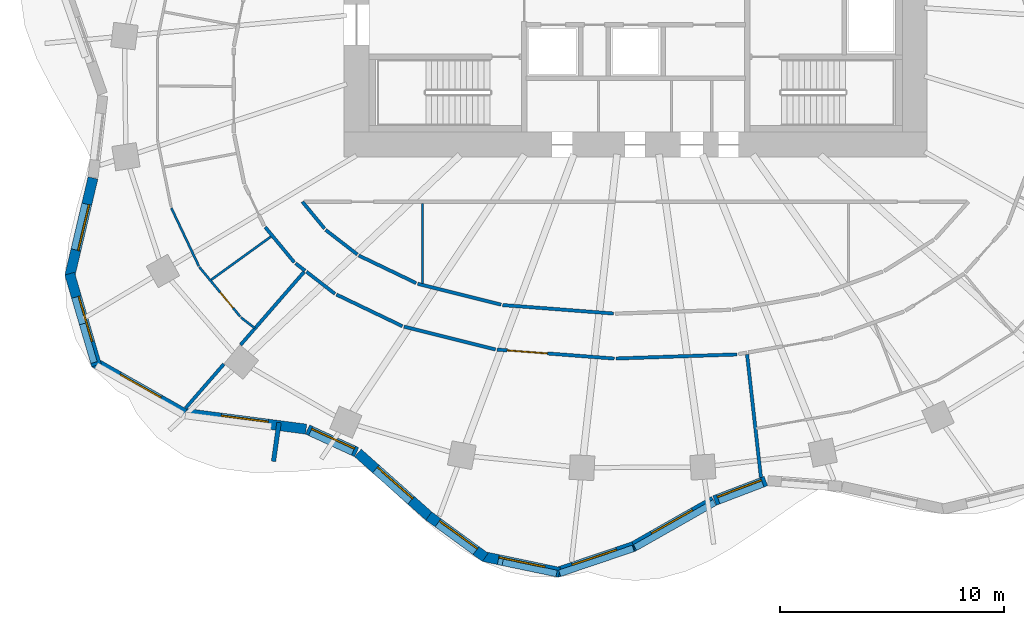
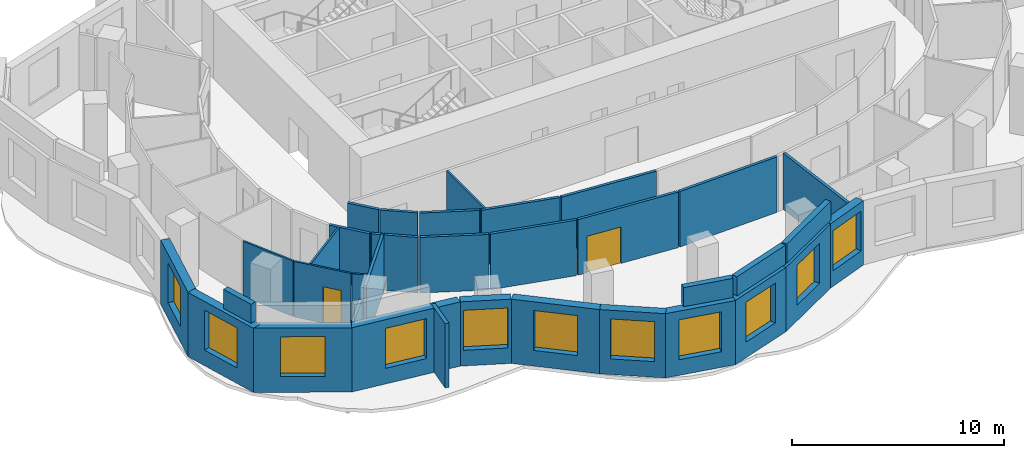
# One storey, part 3 of 10: 36 walls, 11 windows, 2 doors, 13 openings.
"""IFC4 building model written with IfcOpenShell, lengths in metres."""

from ifc_helpers import new_model, si_unit, direction, frame, frame_2d, origin, place, context, subcontext, project, spatial, rectangle, extrude, material, layer, layer_set, type_object, element, fill, save


model = new_model("IFC4")

# Units and contexts
model_context = context("Model", 3, precision=1e-05, world=origin(), true_north=direction((0.0, 1.0)))
body_context = subcontext(model_context, "Body", "Model", "MODEL_VIEW")
ifc_project = project(units=[si_unit("LENGTHUNIT", "METRE"), si_unit("AREAUNIT", "SQUARE_METRE"), si_unit("VOLUMEUNIT", "CUBIC_METRE"), si_unit("PLANEANGLEUNIT", "RADIAN"), si_unit("MASSUNIT", "GRAM", prefix="KILO")], contexts=[model_context])

# Site, building, storey
site_placement = place(None, origin())
site = spatial("IfcSite", under=ifc_project, at=site_placement, CompositionType="ELEMENT")
building_placement = place(site_placement, origin())
building = spatial("IfcBuilding", under=site, at=building_placement, Name="Rubra Terraces Tower", CompositionType="ELEMENT")
storey_placement = place(building_placement, frame((0.0, 0.0, 161.699951171875)))
storey = spatial("IfcBuildingStorey", under=building, at=storey_placement, Name="L39", CompositionType="ELEMENT", Elevation=161.699951171875)

# Wall, opening, window
ifc_material_1 = material(Name="Brick masonry red-brown", Category="masonry")
ifc_layer_1 = layer(ifc_material_1, 0.449951171875)
ifc_layer_set_1 = layer_set([ifc_layer_1], Name="Brick masonry red-brown")
wall_type_1 = type_object("IfcWallType", Name="Brick facade wall 450", PredefinedType="SOLIDWALL", material=ifc_layer_set_1)
wall_1_placement = place(storey_placement, frame((-24.204833984375, -3.942138671875, 0.0), z_axis=(0.0, 0.0, 1.0), x_axis=(-0.230089011282, -0.973169587938, 0.0)))
wall_1 = element("IfcWall", 1, at=wall_1_placement, inside=storey, type_object=wall_type_1, Name="Facade wall L39 bay 22", PredefinedType="SOLIDWALL", context=body_context, shape_type="SweptSolid", body=[
    extrude(rectangle(XDim=4.497802734375, YDim=0.449951171875, at=frame_2d((2.2490234375, 0.0))), origin(), (0.0, 0.0, 1.0), 3.699951171875),
])
opening_1_placement = place(wall_1_placement, frame((1.198974609375, 0.0, 0.89990234375)))
opening_1 = element("IfcOpeningElement", 2, at=opening_1_placement, cuts=wall_1, Name="Opening W1B", PredefinedType="OPENING", context=body_context, shape_type="SweptSolid", body=[
    extrude(rectangle(XDim=2.10009765625, YDim=2.300048828125, at=frame_2d((1.050048828125, 1.14990234375))), frame((0.0, 0.23486328125, 0.0), z_axis=(0.0, -1.0, 0.0), x_axis=(1.0, 0.0, 0.0)), (0.0, 0.0, 1.0), 0.469970703125),
])
ifc_material_2 = material(Name="Clear glass in aluminium frame", Category="aluminium")
window_type = type_object("IfcWindowType", Name="Fixed deep-set window tall storey 2100 x 2300", PartitioningType="SINGLE_PANEL", PredefinedType="WINDOW", material=ifc_material_2)
window_1_placement = place(opening_1_placement, origin())
window_1 = element("IfcWindow", 3, at=window_1_placement, inside=storey, type_object=window_type, Name="Window L39 bay 22", OverallHeight=2.300048828125, OverallWidth=2.10009765625, PartitioningType="SINGLE_PANEL", PredefinedType="WINDOW", context=body_context, shape_type="SweptSolid", body=[
    extrude(rectangle(XDim=2.10009765625, YDim=2.300048828125, at=frame_2d((1.050048828125, 1.14990234375))), frame((0.0, 0.135009765625, 0.0), z_axis=(0.0, -1.0, 0.0), x_axis=(1.0, 0.0, 0.0)), (0.0, 0.0, 1.0), 0.06005859375),
])
fill(opening_1, window_1)

wall_2_placement = place(storey_placement, frame((-25.244140625, -8.209716796875, 0.0), z_axis=(0.0, 0.0, 1.0), x_axis=(0.281381418228, -0.95959600743, 0.0)))
wall_2 = element("IfcWall", 4, at=wall_2_placement, inside=storey, type_object=wall_type_1, Name="Facade wall L39 bay 23", PredefinedType="SOLIDWALL", context=body_context, shape_type="SweptSolid", body=[
    extrude(rectangle(XDim=4.260986328125, YDim=0.449951171875, at=frame_2d((2.13037109375, 0.0))), origin(), (0.0, 0.0, 1.0), 3.699951171875),
])
opening_2_placement = place(wall_2_placement, frame((1.08056640625, 0.0, 0.89990234375)))
opening_2 = element("IfcOpeningElement", 5, at=opening_2_placement, cuts=wall_2, Name="Opening W1B", PredefinedType="OPENING", context=body_context, shape_type="SweptSolid", body=[
    extrude(rectangle(XDim=2.10009765625, YDim=2.300048828125, at=frame_2d((1.050048828125, 1.14990234375))), frame((0.0, 0.23486328125, 0.0), z_axis=(0.0, -1.0, 0.0), x_axis=(1.0, 0.0, 0.0)), (0.0, 0.0, 1.0), 0.469970703125),
])
window_2_placement = place(opening_2_placement, origin())
window_2 = element("IfcWindow", 6, at=window_2_placement, inside=storey, type_object=window_type, Name="Window L39 bay 23", OverallHeight=2.300048828125, OverallWidth=2.10009765625, PartitioningType="SINGLE_PANEL", PredefinedType="WINDOW", context=body_context, shape_type="SweptSolid", body=[
    extrude(rectangle(XDim=2.10009765625, YDim=2.300048828125, at=frame_2d((1.050048828125, 1.14990234375))), frame((0.0, 0.135009765625, 0.0), z_axis=(0.0, -1.0, 0.0), x_axis=(1.0, 0.0, 0.0)), (0.0, 0.0, 1.0), 0.06005859375),
])
fill(opening_2, window_2)

wall_3_placement = place(storey_placement, frame((-24.14990234375, -12.166259765625, 0.0), z_axis=(0.0, 0.0, 1.0), x_axis=(0.869797051289, -0.493409656947, 0.0)))
wall_3 = element("IfcWall", 7, at=wall_3_placement, inside=storey, type_object=wall_type_1, Name="Facade wall L39 bay 24", PredefinedType="SOLIDWALL", context=body_context, shape_type="SweptSolid", body=[
    extrude(rectangle(XDim=4.6376953125, YDim=0.449951171875, at=frame_2d((2.31884765625, 0.0))), origin(), (0.0, 0.0, 1.0), 3.699951171875),
])
opening_3_placement = place(wall_3_placement, frame((1.268798828125, 0.0, 0.89990234375)))
opening_3 = element("IfcOpeningElement", 8, at=opening_3_placement, cuts=wall_3, Name="Opening W1B", PredefinedType="OPENING", context=body_context, shape_type="SweptSolid", body=[
    extrude(rectangle(XDim=2.10009765625, YDim=2.300048828125, at=frame_2d((1.050048828125, 1.14990234375))), frame((0.0, 0.23486328125, 0.0), z_axis=(0.0, -1.0, 0.0), x_axis=(1.0, 0.0, 0.0)), (0.0, 0.0, 1.0), 0.469970703125),
])
window_3_placement = place(opening_3_placement, origin())
window_3 = element("IfcWindow", 9, at=window_3_placement, inside=storey, type_object=window_type, Name="Window L39 bay 24", OverallHeight=2.300048828125, OverallWidth=2.10009765625, PartitioningType="SINGLE_PANEL", PredefinedType="WINDOW", context=body_context, shape_type="SweptSolid", body=[
    extrude(rectangle(XDim=2.10009765625, YDim=2.300048828125, at=frame_2d((1.050048828125, 1.14990234375))), frame((0.0, 0.135009765625, 0.0), z_axis=(0.0, -1.0, 0.0), x_axis=(1.0, 0.0, 0.0)), (0.0, 0.0, 1.0), 0.06005859375),
])
fill(opening_3, window_3)

wall_4_placement = place(storey_placement, frame((-20.197998046875, -14.427001953125, 0.0), z_axis=(0.0, 0.0, 1.0), x_axis=(0.991632531946, -0.129092686027, 0.0)))
wall_4 = element("IfcWall", 10, at=wall_4_placement, inside=storey, type_object=wall_type_1, Name="Facade wall L39 bay 25", PredefinedType="SOLIDWALL", context=body_context, shape_type="SweptSolid", body=[
    extrude(rectangle(XDim=5.546875, YDim=0.449951171875, at=frame_2d((2.7734375, 0.0))), origin(), (0.0, 0.0, 1.0), 3.699951171875),
])
opening_4_placement = place(wall_4_placement, frame((1.723388671875, 0.0, 0.89990234375)))
opening_4 = element("IfcOpeningElement", 11, at=opening_4_placement, cuts=wall_4, Name="Opening W1B", PredefinedType="OPENING", context=body_context, shape_type="SweptSolid", body=[
    extrude(rectangle(XDim=2.10009765625, YDim=2.300048828125, at=frame_2d((1.050048828125, 1.14990234375))), frame((0.0, 0.23486328125, 0.0), z_axis=(0.0, -1.0, 0.0), x_axis=(1.0, 0.0, 0.0)), (0.0, 0.0, 1.0), 0.469970703125),
])
window_4_placement = place(opening_4_placement, origin())
window_4 = element("IfcWindow", 12, at=window_4_placement, inside=storey, type_object=window_type, Name="Window L39 bay 25", OverallHeight=2.300048828125, OverallWidth=2.10009765625, PartitioningType="SINGLE_PANEL", PredefinedType="WINDOW", context=body_context, shape_type="SweptSolid", body=[
    extrude(rectangle(XDim=2.10009765625, YDim=2.300048828125, at=frame_2d((1.050048828125, 1.14990234375))), frame((0.0, 0.135009765625, 0.0), z_axis=(0.0, -1.0, 0.0), x_axis=(1.0, 0.0, 0.0)), (0.0, 0.0, 1.0), 0.06005859375),
])
fill(opening_4, window_4)

wall_5_placement = place(storey_placement, frame((-14.632568359375, -15.16162109375, 0.0), z_axis=(0.0, 0.0, 1.0), x_axis=(0.908483528811, -0.417920659791, 0.0)))
wall_5 = element("IfcWall", 13, at=wall_5_placement, inside=storey, type_object=wall_type_1, Name="Facade wall L39 bay 26", PredefinedType="SOLIDWALL", context=body_context, shape_type="SweptSolid", body=[
    extrude(rectangle(XDim=2.40966796875, YDim=0.449951171875, at=frame_2d((1.204833984375, 0.0))), origin(), (0.0, 0.0, 1.0), 3.699951171875),
])
opening_5_placement = place(wall_5_placement, frame((0.15478515625, 0.0, 0.89990234375)))
opening_5 = element("IfcOpeningElement", 14, at=opening_5_placement, cuts=wall_5, Name="Opening W1B", PredefinedType="OPENING", context=body_context, shape_type="SweptSolid", body=[
    extrude(rectangle(XDim=2.10009765625, YDim=2.300048828125, at=frame_2d((1.050048828125, 1.14990234375))), frame((0.0, 0.23486328125, 0.0), z_axis=(0.0, -1.0, 0.0), x_axis=(1.0, 0.0, 0.0)), (0.0, 0.0, 1.0), 0.469970703125),
])
window_5_placement = place(opening_5_placement, origin())
window_5 = element("IfcWindow", 15, at=window_5_placement, inside=storey, type_object=window_type, Name="Window L39 bay 26", OverallHeight=2.300048828125, OverallWidth=2.10009765625, PartitioningType="SINGLE_PANEL", PredefinedType="WINDOW", context=body_context, shape_type="SweptSolid", body=[
    extrude(rectangle(XDim=2.10009765625, YDim=2.300048828125, at=frame_2d((1.050048828125, 1.14990234375))), frame((0.0, 0.135009765625, 0.0), z_axis=(0.0, -1.0, 0.0), x_axis=(1.0, 0.0, 0.0)), (0.0, 0.0, 1.0), 0.06005859375),
])
fill(opening_5, window_5)

wall_6_placement = place(storey_placement, frame((-12.3876953125, -16.205078125, 0.0), z_axis=(0.0, 0.0, 1.0), x_axis=(0.747390315923, -0.66438521632, 0.0)))
wall_6 = element("IfcWall", 16, at=wall_6_placement, inside=storey, type_object=wall_type_1, Name="Facade wall L39 bay 27", PredefinedType="SOLIDWALL", context=body_context, shape_type="SweptSolid", body=[
    extrude(rectangle(XDim=4.253173828125, YDim=0.449951171875, at=frame_2d((2.12646484375, 0.0))), origin(), (0.0, 0.0, 1.0), 3.699951171875),
])
opening_6_placement = place(wall_6_placement, frame((1.07666015625, 0.0, 0.89990234375)))
opening_6 = element("IfcOpeningElement", 17, at=opening_6_placement, cuts=wall_6, Name="Opening W1B", PredefinedType="OPENING", context=body_context, shape_type="SweptSolid", body=[
    extrude(rectangle(XDim=2.10009765625, YDim=2.300048828125, at=frame_2d((1.050048828125, 1.14990234375))), frame((0.0, 0.23486328125, 0.0), z_axis=(0.0, -1.0, 0.0), x_axis=(1.0, 0.0, 0.0)), (0.0, 0.0, 1.0), 0.469970703125),
])
window_6_placement = place(opening_6_placement, origin())
window_6 = element("IfcWindow", 18, at=window_6_placement, inside=storey, type_object=window_type, Name="Window L39 bay 27", OverallHeight=2.300048828125, OverallWidth=2.10009765625, PartitioningType="SINGLE_PANEL", PredefinedType="WINDOW", context=body_context, shape_type="SweptSolid", body=[
    extrude(rectangle(XDim=2.10009765625, YDim=2.300048828125, at=frame_2d((1.050048828125, 1.14990234375))), frame((0.0, 0.135009765625, 0.0), z_axis=(0.0, -1.0, 0.0), x_axis=(1.0, 0.0, 0.0)), (0.0, 0.0, 1.0), 0.06005859375),
])
fill(opening_6, window_6)

wall_7_placement = place(storey_placement, frame((-9.2255859375, -19.017333984375, 0.0), z_axis=(0.0, 0.0, 1.0), x_axis=(0.806924019806, -0.590655251615, 0.0)))
wall_7 = element("IfcWall", 19, at=wall_7_placement, inside=storey, type_object=wall_type_1, Name="Facade wall L39 bay 28", PredefinedType="SOLIDWALL", context=body_context, shape_type="SweptSolid", body=[
    extrude(rectangle(XDim=3.12353515625, YDim=0.449951171875, at=frame_2d((1.561767578125, 0.0))), origin(), (0.0, 0.0, 1.0), 3.699951171875),
])
opening_7_placement = place(wall_7_placement, frame((0.511962890625, 0.0, 0.89990234375)))
opening_7 = element("IfcOpeningElement", 20, at=opening_7_placement, cuts=wall_7, Name="Opening W1B", PredefinedType="OPENING", context=body_context, shape_type="SweptSolid", body=[
    extrude(rectangle(XDim=2.10009765625, YDim=2.300048828125, at=frame_2d((1.050048828125, 1.14990234375))), frame((0.0, 0.23486328125, 0.0), z_axis=(0.0, -1.0, 0.0), x_axis=(1.0, 0.0, 0.0)), (0.0, 0.0, 1.0), 0.469970703125),
])
window_7_placement = place(opening_7_placement, origin())
window_7 = element("IfcWindow", 21, at=window_7_placement, inside=storey, type_object=window_type, Name="Window L39 bay 28", OverallHeight=2.300048828125, OverallWidth=2.10009765625, PartitioningType="SINGLE_PANEL", PredefinedType="WINDOW", context=body_context, shape_type="SweptSolid", body=[
    extrude(rectangle(XDim=2.10009765625, YDim=2.300048828125, at=frame_2d((1.050048828125, 1.14990234375))), frame((0.0, 0.135009765625, 0.0), z_axis=(0.0, -1.0, 0.0), x_axis=(1.0, 0.0, 0.0)), (0.0, 0.0, 1.0), 0.06005859375),
])
fill(opening_7, window_7)

wall_8_placement = place(storey_placement, frame((-6.7919921875, -20.82373046875, 0.0), z_axis=(0.0, 0.0, 1.0), x_axis=(0.978915912181, -0.204263645512, 0.0)))
wall_8 = element("IfcWall", 22, at=wall_8_placement, inside=storey, type_object=wall_type_1, Name="Facade wall L39 bay 29", PredefinedType="SOLIDWALL", context=body_context, shape_type="SweptSolid", body=[
    extrude(rectangle(XDim=3.466064453125, YDim=0.449951171875, at=frame_2d((1.73291015625, 0.0))), origin(), (0.0, 0.0, 1.0), 3.699951171875),
])
opening_8_placement = place(wall_8_placement, frame((0.68310546875, 0.0, 0.89990234375)))
opening_8 = element("IfcOpeningElement", 23, at=opening_8_placement, cuts=wall_8, Name="Opening W1B", PredefinedType="OPENING", context=body_context, shape_type="SweptSolid", body=[
    extrude(rectangle(XDim=2.10009765625, YDim=2.300048828125, at=frame_2d((1.050048828125, 1.14990234375))), frame((0.0, 0.23486328125, 0.0), z_axis=(0.0, -1.0, 0.0), x_axis=(1.0, 0.0, 0.0)), (0.0, 0.0, 1.0), 0.469970703125),
])
window_8_placement = place(opening_8_placement, origin())
window_8 = element("IfcWindow", 24, at=window_8_placement, inside=storey, type_object=window_type, Name="Window L39 bay 29", OverallHeight=2.300048828125, OverallWidth=2.10009765625, PartitioningType="SINGLE_PANEL", PredefinedType="WINDOW", context=body_context, shape_type="SweptSolid", body=[
    extrude(rectangle(XDim=2.10009765625, YDim=2.300048828125, at=frame_2d((1.050048828125, 1.14990234375))), frame((0.0, 0.135009765625, 0.0), z_axis=(0.0, -1.0, 0.0), x_axis=(1.0, 0.0, 0.0)), (0.0, 0.0, 1.0), 0.06005859375),
])
fill(opening_8, window_8)

wall_9_placement = place(storey_placement, frame((-3.51708984375, -21.538818359375, 0.0), z_axis=(0.0, 0.0, 1.0), x_axis=(0.947310857828, 0.320315685911, 0.0)))
wall_9 = element("IfcWall", 25, at=wall_9_placement, inside=storey, type_object=wall_type_1, Name="Facade wall L39 bay 30", PredefinedType="SOLIDWALL", context=body_context, shape_type="SweptSolid", body=[
    extrude(rectangle(XDim=3.61669921875, YDim=0.449951171875, at=frame_2d((1.808349609375, 0.0))), origin(), (0.0, 0.0, 1.0), 3.699951171875),
])
opening_9_placement = place(wall_9_placement, frame((0.75830078125, 0.0, 0.89990234375)))
opening_9 = element("IfcOpeningElement", 26, at=opening_9_placement, cuts=wall_9, Name="Opening W1B", PredefinedType="OPENING", context=body_context, shape_type="SweptSolid", body=[
    extrude(rectangle(XDim=2.10009765625, YDim=2.300048828125, at=frame_2d((1.050048828125, 1.14990234375))), frame((0.0, 0.23486328125, 0.0), z_axis=(0.0, -1.0, 0.0), x_axis=(1.0, 0.0, 0.0)), (0.0, 0.0, 1.0), 0.469970703125),
])
window_9_placement = place(opening_9_placement, origin())
window_9 = element("IfcWindow", 27, at=window_9_placement, inside=storey, type_object=window_type, Name="Window L39 bay 30", OverallHeight=2.300048828125, OverallWidth=2.10009765625, PartitioningType="SINGLE_PANEL", PredefinedType="WINDOW", context=body_context, shape_type="SweptSolid", body=[
    extrude(rectangle(XDim=2.10009765625, YDim=2.300048828125, at=frame_2d((1.050048828125, 1.14990234375))), frame((0.0, 0.135009765625, 0.0), z_axis=(0.0, -1.0, 0.0), x_axis=(1.0, 0.0, 0.0)), (0.0, 0.0, 1.0), 0.06005859375),
])
fill(opening_9, window_9)

wall_10_placement = place(storey_placement, frame((-0.1298828125, -20.397705078125, 0.0), z_axis=(0.0, 0.0, 1.0), x_axis=(0.869822607726, 0.493364602589, 0.0)))
wall_10 = element("IfcWall", 28, at=wall_10_placement, inside=storey, type_object=wall_type_1, Name="Facade wall L39 bay 31", PredefinedType="SOLIDWALL", context=body_context, shape_type="SweptSolid", body=[
    extrude(rectangle(XDim=4.1640625, YDim=0.449951171875, at=frame_2d((2.08203125, 0.0))), origin(), (0.0, 0.0, 1.0), 3.699951171875),
])
opening_10_placement = place(wall_10_placement, frame((1.0322265625, 0.0, 0.89990234375)))
opening_10 = element("IfcOpeningElement", 29, at=opening_10_placement, cuts=wall_10, Name="Opening W1B", PredefinedType="OPENING", context=body_context, shape_type="SweptSolid", body=[
    extrude(rectangle(XDim=2.10009765625, YDim=2.300048828125, at=frame_2d((1.050048828125, 1.14990234375))), frame((0.0, 0.23486328125, 0.0), z_axis=(0.0, -1.0, 0.0), x_axis=(1.0, 0.0, 0.0)), (0.0, 0.0, 1.0), 0.469970703125),
])
window_10_placement = place(opening_10_placement, origin())
window_10 = element("IfcWindow", 30, at=window_10_placement, inside=storey, type_object=window_type, Name="Window L39 bay 31", OverallHeight=2.300048828125, OverallWidth=2.10009765625, PartitioningType="SINGLE_PANEL", PredefinedType="WINDOW", context=body_context, shape_type="SweptSolid", body=[
    extrude(rectangle(XDim=2.10009765625, YDim=2.300048828125, at=frame_2d((1.050048828125, 1.14990234375))), frame((0.0, 0.135009765625, 0.0), z_axis=(0.0, -1.0, 0.0), x_axis=(1.0, 0.0, 0.0)), (0.0, 0.0, 1.0), 0.06005859375),
])
fill(opening_10, window_10)

wall_11_placement = place(storey_placement, frame((3.52294921875, -18.328857421875, 0.0), z_axis=(0.0, 0.0, 1.0), x_axis=(0.934127137656, 0.356940458193, 0.0)))
wall_11 = element("IfcWall", 31, at=wall_11_placement, inside=storey, type_object=wall_type_1, Name="Facade wall L39 bay 32", PredefinedType="SOLIDWALL", context=body_context, shape_type="SweptSolid", body=[
    extrude(rectangle(XDim=2.44873046875, YDim=0.449951171875, at=frame_2d((1.224365234375, 0.0))), origin(), (0.0, 0.0, 1.0), 3.699951171875),
])
opening_11_placement = place(wall_11_placement, frame((0.17431640625, 0.0, 0.89990234375)))
opening_11 = element("IfcOpeningElement", 32, at=opening_11_placement, cuts=wall_11, Name="Opening W1B", PredefinedType="OPENING", context=body_context, shape_type="SweptSolid", body=[
    extrude(rectangle(XDim=2.10009765625, YDim=2.300048828125, at=frame_2d((1.050048828125, 1.14990234375))), frame((0.0, 0.23486328125, 0.0), z_axis=(0.0, -1.0, 0.0), x_axis=(1.0, 0.0, 0.0)), (0.0, 0.0, 1.0), 0.469970703125),
])
window_11_placement = place(opening_11_placement, origin())
window_11 = element("IfcWindow", 33, at=window_11_placement, inside=storey, type_object=window_type, Name="Window L39 bay 32", OverallHeight=2.300048828125, OverallWidth=2.10009765625, PartitioningType="SINGLE_PANEL", PredefinedType="WINDOW", context=body_context, shape_type="SweptSolid", body=[
    extrude(rectangle(XDim=2.10009765625, YDim=2.300048828125, at=frame_2d((1.050048828125, 1.14990234375))), frame((0.0, 0.135009765625, 0.0), z_axis=(0.0, -1.0, 0.0), x_axis=(1.0, 0.0, 0.0)), (0.0, 0.0, 1.0), 0.06005859375),
])
fill(opening_11, window_11)

# Walls
ifc_layer_2 = layer(ifc_material_1, 0.300048828125)
ifc_layer_set_2 = layer_set([ifc_layer_2], Name="Brick masonry red-brown")
wall_type_2 = type_object("IfcWallType", Name="Brick parapet 300", PredefinedType="PARAPET", material=ifc_layer_set_2)
wall_12_placement = place(storey_placement, frame((-24.665771484375, -10.44873046875, 3.900146484375), z_axis=(0.0, 0.0, 1.0), x_axis=(0.281438565612, -0.95957924831, 0.0)))
element("IfcWall", 34, at=wall_12_placement, inside=storey, type_object=wall_type_2, Name="Parapet L39 bay 23", PredefinedType="PARAPET", context=body_context, shape_type="SweptSolid", body=[
    extrude(rectangle(XDim=1.79833984375, YDim=0.300048828125, at=frame_2d((0.899169921875, 0.0))), origin(), (0.0, 0.0, 1.0), 1.099853515625),
])
wall_13_placement = place(storey_placement, frame((-5.9267578125, -21.080810546875, 3.900146484375), z_axis=(0.0, 0.0, 1.0), x_axis=(0.978913347981, -0.204275933837, 0.0)))
element("IfcWall", 35, at=wall_13_placement, inside=storey, type_object=wall_type_2, Name="Parapet L39 bay 29", PredefinedType="PARAPET", context=body_context, shape_type="SweptSolid", body=[
    extrude(rectangle(XDim=2.454833984375, YDim=0.300048828125, at=frame_2d((1.2275390625, 0.0))), origin(), (0.0, 0.0, 1.0), 1.099853515625),
])
wall_14_placement = place(storey_placement, frame((-3.38720703125, -21.57421875, 3.900146484375), z_axis=(0.0, 0.0, 1.0), x_axis=(0.947286690835, 0.32038714919, 0.0)))
element("IfcWall", 36, at=wall_14_placement, inside=storey, type_object=wall_type_2, Name="Parapet L39 bay 30", PredefinedType="PARAPET", context=body_context, shape_type="SweptSolid", body=[
    extrude(rectangle(XDim=3.46630859375, YDim=0.300048828125, at=frame_2d((1.733154296875, 0.0))), origin(), (0.0, 0.0, 1.0), 1.099853515625),
])
wall_15_placement = place(storey_placement, frame((-0.02294921875, -20.427490234375, 3.900146484375), z_axis=(0.0, 0.0, 1.0), x_axis=(0.869841859978, 0.493330658514, 0.0)))
element("IfcWall", 37, at=wall_15_placement, inside=storey, type_object=wall_type_2, Name="Parapet L39 bay 31", PredefinedType="PARAPET", context=body_context, shape_type="SweptSolid", body=[
    extrude(rectangle(XDim=4.085693359375, YDim=0.300048828125, at=frame_2d((2.04296875, 0.0))), origin(), (0.0, 0.0, 1.0), 1.099853515625),
])
ifc_layer_3 = layer(ifc_material_1, 0.199951171875)
ifc_layer_set_3 = layer_set([ifc_layer_3], Name="Brick masonry red-brown")
wall_type_3 = type_object("IfcWallType", Name="Brick wind fin 200", PredefinedType="SOLIDWALL", material=ifc_layer_set_3)
wall_16_placement = place(storey_placement, frame((-15.905029296875, -14.85009765625, 0.0), z_axis=(0.0, 0.0, 1.0), x_axis=(-0.140913490987, -0.990021912918, 0.0)))
element("IfcWall", 38, at=wall_16_placement, inside=storey, type_object=wall_type_3, Name="Wind fin L39 13", PredefinedType="SOLIDWALL", context=body_context, shape_type="SweptSolid", body=[
    extrude(rectangle(XDim=1.75, YDim=0.199951171875, at=frame_2d((0.875, 0.0))), origin(), (0.0, 0.0, 1.0), 3.699951171875),
])
ifc_material_3 = material(Name="Plasterboard on steel stud, mineral wool infill", Category="steel")
ifc_layer_4 = layer(ifc_material_3, 0.14990234375)
ifc_layer_set_4 = layer_set([ifc_layer_4], Name="Plasterboard on steel stud, mineral wool infill")
wall_type_4 = type_object("IfcWallType", Name="CORRIDOR PARTITION 150", PredefinedType="PARTITIONING", material=ifc_layer_set_4)
wall_17_placement = place(storey_placement, frame((-16.523193359375, -6.131591796875, 0.0), z_axis=(0.0, 0.0, 1.0), x_axis=(0.636763898907, -0.771058841496, 0.0)))
element("IfcWall", 39, at=wall_17_placement, inside=storey, type_object=wall_type_4, Name="PARTITION", PredefinedType="PARTITIONING", context=body_context, shape_type="SweptSolid", body=[
    extrude(rectangle(XDim=2.039794921875, YDim=0.14990234375, at=frame_2d((1.02001953125, 0.0))), origin(), (0.0, 0.0, 1.0), 3.197998046875),
])
wall_18_placement = place(storey_placement, frame((-15.1650390625, -7.750244140625, 0.0), z_axis=(0.0, 0.0, 1.0), x_axis=(0.79097337153, -0.611850574511, 0.0)))
element("IfcWall", 40, at=wall_18_placement, inside=storey, type_object=wall_type_4, Name="PARTITION", PredefinedType="PARTITIONING", context=body_context, shape_type="SweptSolid", body=[
    extrude(rectangle(XDim=0.5341796875, YDim=0.14990234375, at=frame_2d((0.26708984375, 0.0))), origin(), (0.0, 0.0, 1.0), 3.197998046875),
])
wall_19_placement = place(storey_placement, frame((-14.68310546875, -8.123046875, 0.0), z_axis=(0.0, 0.0, 1.0), x_axis=(0.790898614368, -0.611947205068, 0.0)))
element("IfcWall", 41, at=wall_19_placement, inside=storey, type_object=wall_type_4, Name="PARTITION", PredefinedType="PARTITIONING", context=body_context, shape_type="SweptSolid", body=[
    extrude(rectangle(XDim=1.612548828125, YDim=0.14990234375, at=frame_2d((0.80615234375, 0.0))), origin(), (0.0, 0.0, 1.0), 3.197998046875),
])
wall_20_placement = place(storey_placement, frame((-13.340087890625, -9.142333984375, 0.0), z_axis=(0.0, 0.0, 1.0), x_axis=(0.901599124721, -0.432572558425, 0.0)))
element("IfcWall", 42, at=wall_20_placement, inside=storey, type_object=wall_type_4, Name="PARTITION", PredefinedType="PARTITIONING", context=body_context, shape_type="SweptSolid", body=[
    extrude(rectangle(XDim=3.2548828125, YDim=0.14990234375, at=frame_2d((1.62744140625, 0.0))), origin(), (0.0, 0.0, 1.0), 3.197998046875),
])
wall_21_placement = place(storey_placement, frame((-10.332763671875, -10.568603515625, 0.0), z_axis=(0.0, 0.0, 1.0), x_axis=(0.970067398009, -0.242835836151, 0.0)))
element("IfcWall", 43, at=wall_21_placement, inside=storey, type_object=wall_type_4, Name="PARTITION", PredefinedType="PARTITIONING", context=body_context, shape_type="SweptSolid", body=[
    extrude(rectangle(XDim=4.20947265625, YDim=0.14990234375, at=frame_2d((2.104736328125, 0.0))), origin(), (0.0, 0.0, 1.0), 3.197998046875),
])

# Wall, opening, door
wall_22_placement = place(storey_placement, frame((-6.174560546875, -11.596435546875, 0.0), z_axis=(0.0, 0.0, 1.0), x_axis=(0.997097090763, -0.07614060409, 0.0)))
wall_22 = element("IfcWall", 44, at=wall_22_placement, inside=storey, type_object=wall_type_4, Name="PARTITION", PredefinedType="PARTITIONING", context=body_context, shape_type="SweptSolid", body=[
    extrude(rectangle(XDim=5.2392578125, YDim=0.14990234375, at=frame_2d((2.61962890625, 0.0))), origin(), (0.0, 0.0, 1.0), 3.197998046875),
])
opening_12_placement = place(wall_22_placement, frame((0.449951171875, 0.0, 0.0)))
opening_12 = element("IfcOpeningElement", 45, at=opening_12_placement, cuts=wall_22, Name="Opening 39-113", PredefinedType="OPENING", context=body_context, shape_type="SweptSolid", body=[
    extrude(rectangle(XDim=1.800048828125, YDim=2.10009765625, at=frame_2d((0.89990234375, 1.050048828125))), frame((0.0, 0.0849609375, 0.0), z_axis=(0.0, -1.0, 0.0), x_axis=(1.0, 0.0, 0.0)), (0.0, 0.0, 1.0), 0.169921875),
])
ifc_material_4 = material(Name="Painted timber door leaf, double", Category="wood")
door_type_1 = type_object("IfcDoorType", Name="ROOM DOUBLE DOOR 1800 X 2100", OperationType="DOUBLE_DOOR_SINGLE_SWING", PredefinedType="DOOR", material=ifc_material_4)
door_1_placement = place(opening_12_placement, origin())
door_1 = element("IfcDoor", 46, at=door_1_placement, inside=storey, type_object=door_type_1, Name="DOOR 39-113", OperationType="DOUBLE_DOOR_SINGLE_SWING", OverallHeight=2.10009765625, OverallWidth=1.800048828125, PredefinedType="DOOR", context=body_context, shape_type="SweptSolid", body=[
    extrude(rectangle(XDim=1.800048828125, YDim=2.10009765625, at=frame_2d((0.89990234375, 1.050048828125))), frame((0.0, 0.02490234375, 0.0), z_axis=(0.0, -1.0, 0.0), x_axis=(1.0, 0.0, 0.0)), (0.0, 0.0, 1.0), 0.050048828125),
])
fill(opening_12, door_1)

# Walls
wall_23_placement = place(storey_placement, frame((-0.87548828125, -11.992919921875, 0.0), z_axis=(0.0, 0.0, 1.0), x_axis=(0.999436745295, 0.033558786542, 0.0)))
element("IfcWall", 47, at=wall_23_placement, inside=storey, type_object=wall_type_4, Name="PARTITION", PredefinedType="PARTITIONING", context=body_context, shape_type="SweptSolid", body=[
    extrude(rectangle(XDim=5.39794921875, YDim=0.14990234375, at=frame_2d((2.698974609375, 0.0))), origin(), (0.0, 0.0, 1.0), 3.197998046875),
])
wall_24_placement = place(storey_placement, frame((-0.982421875, -9.987060546875, 0.0), z_axis=(0.0, 0.0, 1.0), x_axis=(-0.997096607341, 0.07614693447, 0.0)))
element("IfcWall", 48, at=wall_24_placement, inside=storey, type_object=wall_type_4, Name="PARTITION", PredefinedType="PARTITIONING", context=body_context, shape_type="SweptSolid", body=[
    extrude(rectangle(XDim=4.9599609375, YDim=0.14990234375, at=frame_2d((2.47998046875, 0.0))), origin(), (0.0, 0.0, 1.0), 3.197998046875),
])
wall_25_placement = place(storey_placement, frame((-6.000732421875, -9.59130859375, 0.0), z_axis=(0.0, 0.0, 1.0), x_axis=(-0.970063855769, 0.242849986061, 0.0)))
element("IfcWall", 49, at=wall_25_placement, inside=storey, type_object=wall_type_4, Name="PARTITION", PredefinedType="PARTITIONING", context=body_context, shape_type="SweptSolid", body=[
    extrude(rectangle(XDim=3.83740234375, YDim=0.14990234375, at=frame_2d((1.918701171875, 0.0))), origin(), (0.0, 0.0, 1.0), 3.197998046875),
])
wall_26_placement = place(storey_placement, frame((-9.790771484375, -8.626953125, 0.0), z_axis=(0.0, 0.0, 1.0), x_axis=(-0.901598165215, 0.432574558292, 0.0)))
element("IfcWall", 50, at=wall_26_placement, inside=storey, type_object=wall_type_4, Name="PARTITION", PredefinedType="PARTITIONING", context=body_context, shape_type="SweptSolid", body=[
    extrude(rectangle(XDim=2.840087890625, YDim=0.14990234375, at=frame_2d((1.419921875, 0.0))), origin(), (0.0, 0.0, 1.0), 3.197998046875),
])
wall_27_placement = place(storey_placement, frame((-12.41064453125, -7.3525390625, 0.0), z_axis=(0.0, 0.0, 1.0), x_axis=(-0.790894311556, 0.611952766109, 0.0)))
element("IfcWall", 51, at=wall_27_placement, inside=storey, type_object=wall_type_4, Name="PARTITION", PredefinedType="PARTITIONING", context=body_context, shape_type="SweptSolid", body=[
    extrude(rectangle(XDim=1.787353515625, YDim=0.14990234375, at=frame_2d((0.8935546875, 0.0))), origin(), (0.0, 0.0, 1.0), 3.197998046875),
])
wall_28_placement = place(storey_placement, frame((-13.8720703125, -6.200927734375, 0.0), z_axis=(0.0, 0.0, 1.0), x_axis=(-0.636832838855, 0.771001903601, 0.0)))
element("IfcWall", 52, at=wall_28_placement, inside=storey, type_object=wall_type_4, Name="PARTITION", PredefinedType="PARTITIONING", context=body_context, shape_type="SweptSolid", body=[
    extrude(rectangle(XDim=1.5576171875, YDim=0.14990234375, at=frame_2d((0.77880859375, 0.0))), origin(), (0.0, 0.0, 1.0), 3.197998046875),
])
ifc_material_5 = material(Name="Plasterboard on steel stud", Category="steel")
ifc_layer_5 = layer(ifc_material_5, 0.10009765625)
ifc_layer_set_5 = layer_set([ifc_layer_5], Name="Plasterboard on steel stud")
wall_type_5 = type_object("IfcWallType", Name="ROOM PARTITION 100", PredefinedType="PARTITIONING", material=ifc_layer_set_5)
wall_29_placement = place(storey_placement, frame((-16.993408203125, -10.634521484375, 0.0), z_axis=(0.0, 0.0, 1.0), x_axis=(-0.790847033007, 0.612013864536, 0.0)))
element("IfcWall", 53, at=wall_29_placement, inside=storey, type_object=wall_type_5, Name="PARTITION", PredefinedType="PARTITIONING", context=body_context, shape_type="SweptSolid", body=[
    extrude(rectangle(XDim=0.772705078125, YDim=0.10009765625, at=frame_2d((0.38623046875, 0.0))), origin(), (0.0, 0.0, 1.0), 3.197998046875),
])

# Wall, opening, door
wall_30_placement = place(storey_placement, frame((-17.63623046875, -10.123046875, 0.0), z_axis=(0.0, 0.0, 1.0), x_axis=(-0.63687924693, 0.770963569068, 0.0)))
wall_30 = element("IfcWall", 54, at=wall_30_placement, inside=storey, type_object=wall_type_5, Name="PARTITION", PredefinedType="PARTITIONING", context=body_context, shape_type="SweptSolid", body=[
    extrude(rectangle(XDim=2.86767578125, YDim=0.10009765625, at=frame_2d((1.433837890625, 0.0))), origin(), (0.0, 0.0, 1.0), 3.197998046875),
])
opening_13_placement = place(wall_30_placement, frame((0.5, 0.0, 0.0)))
opening_13 = element("IfcOpeningElement", 55, at=opening_13_placement, cuts=wall_30, Name="Opening 39-112", PredefinedType="OPENING", context=body_context, shape_type="SweptSolid", body=[
    extrude(rectangle(XDim=0.89990234375, YDim=2.10009765625, at=frame_2d((0.449951171875, 1.050048828125))), frame((0.0, 0.06005859375, 0.0), z_axis=(0.0, -1.0, 0.0), x_axis=(1.0, 0.0, 0.0)), (0.0, 0.0, 1.0), 0.1201171875),
])
ifc_material_6 = material(Name="Painted timber door leaf", Category="wood")
door_type_2 = type_object("IfcDoorType", Name="ROOM DOOR 900 X 2100", OperationType="SINGLE_SWING_LEFT", PredefinedType="DOOR", material=ifc_material_6)
door_2_placement = place(opening_13_placement, origin())
door_2 = element("IfcDoor", 56, at=door_2_placement, inside=storey, type_object=door_type_2, Name="DOOR 39-112", OperationType="SINGLE_SWING_RIGHT", OverallHeight=2.10009765625, OverallWidth=0.89990234375, PredefinedType="DOOR", context=body_context, shape_type="SweptSolid", body=[
    extrude(rectangle(XDim=0.89990234375, YDim=2.10009765625, at=frame_2d((0.449951171875, 1.050048828125))), frame((0.0, 0.02490234375, 0.0), z_axis=(0.0, -1.0, 0.0), x_axis=(1.0, 0.0, 0.0)), (0.0, 0.0, 1.0), 0.050048828125),
])
fill(opening_13, door_2)

# Walls
wall_31_placement = place(storey_placement, frame((-19.48388671875, -7.866943359375, 0.0), z_axis=(0.0, 0.0, 1.0), x_axis=(-0.427943138949, 0.903805659324, 0.0)))
element("IfcWall", 57, at=wall_31_placement, inside=storey, type_object=wall_type_5, Name="PARTITION", PredefinedType="PARTITIONING", context=body_context, shape_type="SweptSolid", body=[
    extrude(rectangle(XDim=2.858154296875, YDim=0.10009765625, at=frame_2d((1.42919921875, 0.0))), origin(), (0.0, 0.0, 1.0), 3.197998046875),
])
wall_32_placement = place(storey_placement, frame((-16.26806640625, -6.55810546875, 0.0), z_axis=(0.0, 0.0, 1.0), x_axis=(-0.810418274369, -0.585851705271, 0.0)))
element("IfcWall", 58, at=wall_32_placement, inside=storey, type_object=wall_type_5, Name="PARTITION", PredefinedType="PARTITIONING", context=body_context, shape_type="SweptSolid", body=[
    extrude(rectangle(XDim=3.2822265625, YDim=0.10009765625, at=frame_2d((1.64111328125, 0.0))), origin(), (0.0, 0.0, 1.0), 3.197998046875),
])
wall_33_placement = place(storey_placement, frame((-9.5, -8.64013671875, 0.0), z_axis=(0.0, 0.0, 1.0), x_axis=(0.0, 1.0, 0.0)))
element("IfcWall", 59, at=wall_33_placement, inside=storey, type_object=wall_type_5, Name="PARTITION", PredefinedType="PARTITIONING", context=body_context, shape_type="SweptSolid", body=[
    extrude(rectangle(XDim=3.565185546875, YDim=0.10009765625, at=frame_2d((1.78271484375, 0.0))), origin(), (0.0, 0.0, 1.0), 3.197998046875),
])
ifc_layer_6 = layer(ifc_material_5, 0.14990234375)
ifc_layer_set_6 = layer_set([ifc_layer_6], Name="Plasterboard on steel stud")
wall_type_6 = type_object("IfcWallType", Name="ROOM PARTITION 150", PredefinedType="PARTITIONING", material=ifc_layer_set_6)
wall_34_placement = place(storey_placement, frame((-20.078369140625, -14.211669921875, 0.0), z_axis=(0.0, 0.0, 1.0), x_axis=(0.656308472816, 0.75449266962, 0.0)))
element("IfcWall", 60, at=wall_34_placement, inside=storey, type_object=wall_type_6, Name="PARTITION", PredefinedType="PARTITIONING", context=body_context, shape_type="SweptSolid", body=[
    extrude(rectangle(XDim=2.6083984375, YDim=0.14990234375, at=frame_2d((1.30419921875, 0.0))), origin(), (0.0, 0.0, 1.0), 3.234130859375),
])
wall_35_placement = place(storey_placement, frame((-17.6181640625, -11.38330078125, 0.0), z_axis=(0.0, 0.0, 1.0), x_axis=(0.656310626484, 0.754490796209, 0.0)))
element("IfcWall", 61, at=wall_35_placement, inside=storey, type_object=wall_type_6, Name="PARTITION", PredefinedType="PARTITIONING", context=body_context, shape_type="SweptSolid", body=[
    extrude(rectangle(XDim=4.306884765625, YDim=0.14990234375, at=frame_2d((2.1533203125, 0.0))), origin(), (0.0, 0.0, 1.0), 3.234130859375),
])
wall_36_placement = place(storey_placement, frame((5.589599609375, -17.2939453125, 0.0), z_axis=(0.0, 0.0, 1.0), x_axis=(-0.112008739425, 0.993707221616, 0.0)))
element("IfcWall", 62, at=wall_36_placement, inside=storey, type_object=wall_type_6, Name="PARTITION", PredefinedType="PARTITIONING", context=body_context, shape_type="SweptSolid", body=[
    extrude(rectangle(XDim=5.52099609375, YDim=0.14990234375, at=frame_2d((2.760498046875, 0.0))), origin(), (0.0, 0.0, 1.0), 3.234130859375),
])

save(model, "model.ifc")
